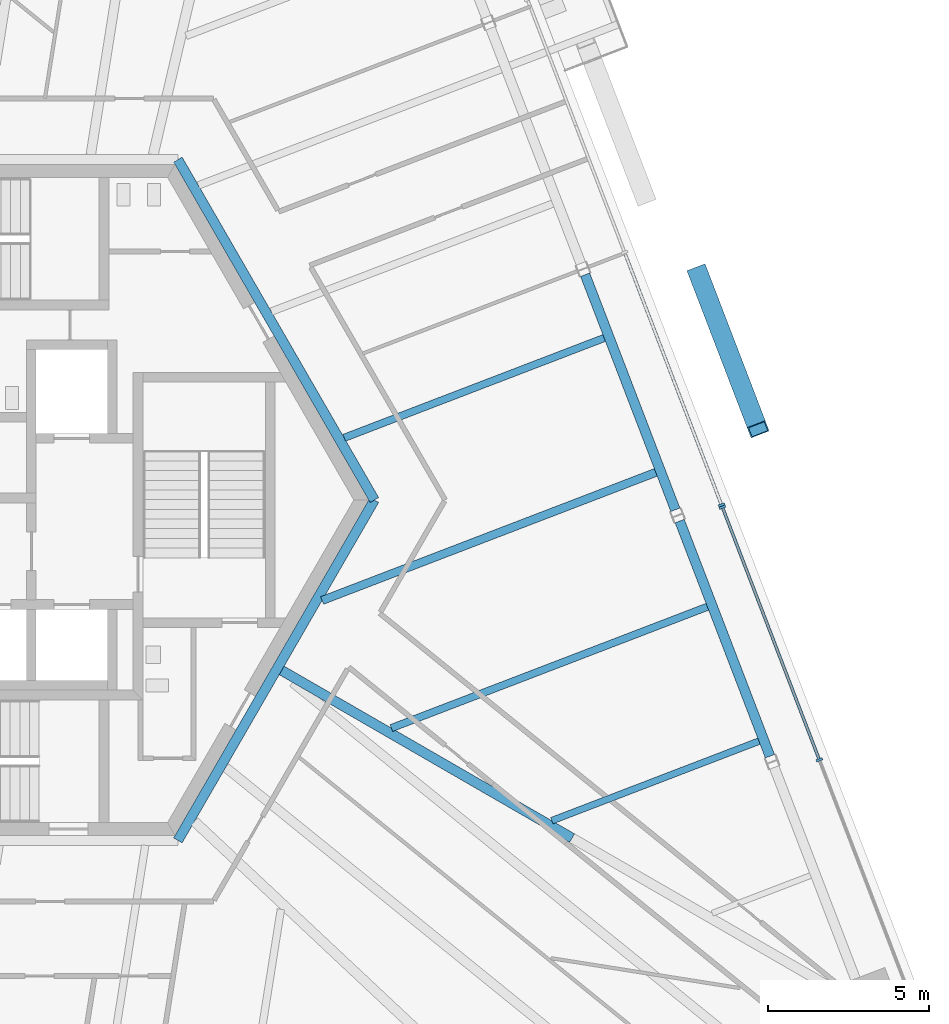
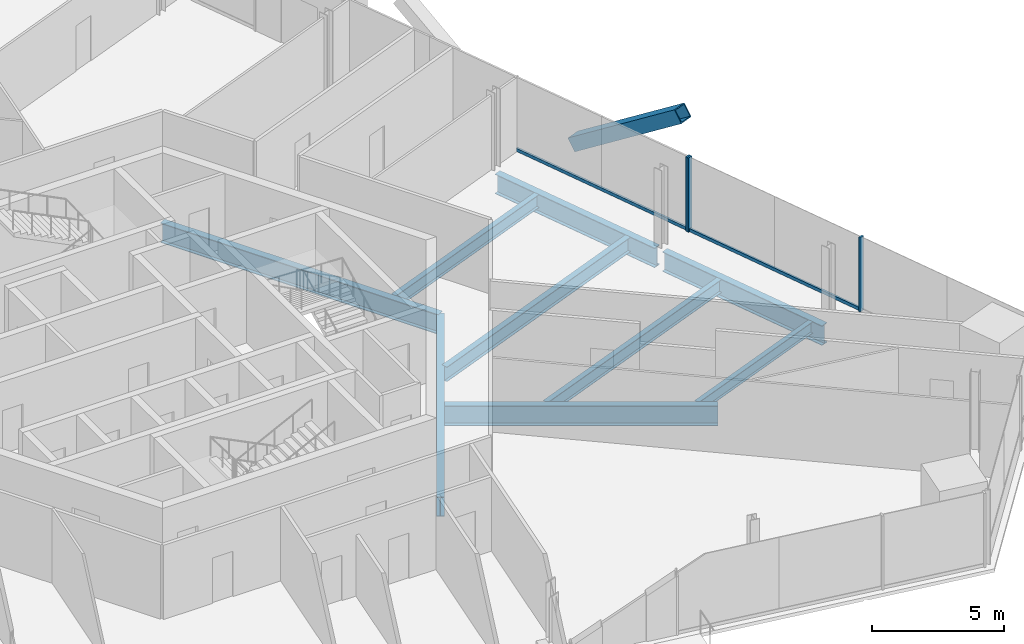
# One storey, part 6 of 18: 9 beams, 6 members, 2 elements without a shape of their own.
"""IFC4 building model written with IfcOpenShell, lengths in metres."""

from ifc_helpers import new_model, si_unit, direction, frame, origin, origin_2d, place, context, subcontext, project, spatial, rectangle, hollow_rectangle, i_section, extrude, source, transform, mapped, material, material_profile, profile_set, type_object, element, aggregate, save


model = new_model("IFC4")

# Units and contexts
model_context = context("Model", 3, precision=1e-05, world=origin(), true_north=direction((0.0, 1.0)))
body_context = subcontext(model_context, "Body", "Model", "MODEL_VIEW")
ifc_project = project(units=[si_unit("LENGTHUNIT", "METRE"), si_unit("AREAUNIT", "SQUARE_METRE"), si_unit("VOLUMEUNIT", "CUBIC_METRE"), si_unit("PLANEANGLEUNIT", "RADIAN"), si_unit("MASSUNIT", "GRAM", prefix="KILO")], contexts=[model_context])

# Site, building, storey
site_placement = place(None, origin())
site = spatial("IfcSite", under=ifc_project, at=site_placement, CompositionType="ELEMENT")
building_placement = place(site_placement, origin())
building = spatial("IfcBuilding", under=site, at=building_placement, Name="Triune Harvest Tower", CompositionType="ELEMENT")
storey_placement = place(building_placement, frame((0.0, 0.0, 156.89990234375)))
storey = spatial("IfcBuildingStorey", under=building, at=storey_placement, Name="L40", CompositionType="ELEMENT", Elevation=156.89990234375)

# Beams
ifc_material_1 = material(Name="Steel ASTM A992 Gr 50", Category="steel")
ifc_material_profile_1 = material_profile(ifc_material_1, i_section(OverallWidth=0.3046875, OverallDepth=0.914306640625, WebThickness=0.0166015625, FlangeThickness=0.02587890625, at=origin_2d()), Name="W36x160")
ifc_profile_set_1 = profile_set([ifc_material_profile_1], Name="Steel ASTM A992 Gr 50")
beam_type_1 = type_object("IfcBeamType", Name="CG-1 Core ring girder W36x160", PredefinedType="BEAM", material=ifc_profile_set_1)
shared_shape_1 = source(origin(), body_context, "Body", "SweptSolid", [
    extrude(i_section(OverallWidth=0.3046875, OverallDepth=0.914306640625, WebThickness=0.0166015625, FlangeThickness=0.02587890625, at=origin_2d()), origin(), (0.0, 0.0, 1.0), 12.176025390625),
])
for number, where, z_axis, x_axis, name in (
    (1, (12.176025390625, 0.0, -0.6171875), (-0.5000099932, 0.866019634131, 0.0), (-0.866019634131, -0.5000099932, 0.0), "beam/L40/CG1"),
    (2, (6.087890625, -10.544677734375, -0.6171875), (0.5000099932, 0.866019634131, 0.0), (-0.866019634131, 0.5000099932, 0.0), "beam/L40/CG6"),
):
    element("IfcBeam", number, at=place(storey_placement, frame(where, z_axis=z_axis, x_axis=x_axis)), inside=storey, type_object=beam_type_1, Name=name, PredefinedType="BEAM", context=body_context, shape_type="MappedRepresentation", body=[
        mapped(shared_shape_1, transform((0.0, 0.0, 0.0), scale=1.0)),
    ])
ifc_material_2 = material(Name="Steel ASTM A992 Gr 50", Category="steel")
ifc_material_profile_2 = material_profile(ifc_material_2, i_section(OverallWidth=0.307373046875, OverallDepth=0.922119140625, WebThickness=0.018310546875, FlangeThickness=0.030029296875, at=origin_2d()), Name="W36x182")
ifc_profile_set_2 = profile_set([ifc_material_profile_2], Name="Steel ASTM A992 Gr 50")
beam_type_2 = type_object("IfcBeamType", Name="HG-2 Hip girder W36x182", PredefinedType="BEAM", material=ifc_profile_set_2)
shared_shape_2 = source(origin(), body_context, "Body", "SweptSolid", [
    extrude(i_section(OverallWidth=0.307373046875, OverallDepth=0.922119140625, WebThickness=0.018310546875, FlangeThickness=0.030029296875, at=origin_2d()), origin(), (0.0, 0.0, 1.0), 10.38623046875),
])
beam_1_placement = place(storey_placement, frame((18.29833984375, -10.47314453125, -0.620849609375), z_axis=(-0.866022743272, 0.500004608114, 0.0), x_axis=(-0.500004608114, -0.866022743272, 0.0)))
element("IfcBeam", 3, at=beam_1_placement, inside=storey, type_object=beam_type_2, Name="beam/L40/HG2", PredefinedType="BEAM", context=body_context, shape_type="MappedRepresentation", body=[
    mapped(shared_shape_2, transform((0.0, 0.0, 0.0), scale=1.0)),
])
ifc_material_3 = material(Name="Steel ASTM A992 Gr 50", Category="steel")
ifc_material_profile_3 = material_profile(ifc_material_3, i_section(OverallWidth=0.3046875, OverallDepth=0.914306640625, WebThickness=0.0166015625, FlangeThickness=0.02587890625, at=origin_2d()), Name="W36x160")
ifc_profile_set_3 = profile_set([ifc_material_profile_3], Name="Steel ASTM A992 Gr 50")
beam_type_3 = type_object("IfcBeamType", Name="SB-1 Spandrel beam W36x160", PredefinedType="SPANDREL", material=ifc_profile_set_3)
shared_shape_3 = source(origin(), body_context, "Body", "SweptSolid", [
    extrude(i_section(OverallWidth=0.3046875, OverallDepth=0.914306640625, WebThickness=0.0166015625, FlangeThickness=0.02587890625, at=origin_2d()), origin(), (0.0, 0.0, 1.0), 7.8017578125),
])
for number, where, z_axis, x_axis, name in (
    (4, (24.428466796875, -7.93603515625, -0.6171875), (-0.358372974677, 0.933578497514, 0.0), (-0.933578497514, -0.358372974677, 0.0), "beam/L40/SB2"),
    (5, (21.498779296875, -0.303955078125, -0.6171875), (-0.358372974677, 0.933578497514, 0.0), (-0.933578497514, -0.358372974677, 0.0), "beam/L40/SB3"),
):
    element("IfcBeam", number, at=place(storey_placement, frame(where, z_axis=z_axis, x_axis=x_axis)), inside=storey, type_object=beam_type_3, Name=name, PredefinedType="SPANDREL", context=body_context, shape_type="MappedRepresentation", body=[
        mapped(shared_shape_3, transform((0.0, 0.0, 0.0), scale=1.0)),
    ])
ifc_material_4 = material(Name="Steel ASTM A992 Gr 50", Category="steel")
ifc_material_profile_4 = material_profile(ifc_material_4, i_section(OverallWidth=0.2099609375, OverallDepth=0.535888671875, WebThickness=0.010986328125, FlangeThickness=0.017333984375, at=origin_2d()), Name="W21x68")
ifc_profile_set_4 = profile_set([ifc_material_profile_4], Name="Steel ASTM A992 Gr 50")
beam_type_4 = type_object("IfcBeamType", Name="JT-2 Floor joist W21x68", PredefinedType="JOIST", material=ifc_profile_set_4)
shared_shape_4 = source(origin(), body_context, "Body", "SweptSolid", [
    extrude(i_section(OverallWidth=0.2099609375, OverallDepth=0.535888671875, WebThickness=0.010986328125, FlangeThickness=0.017333984375, at=origin_2d()), origin(), (0.0, 0.0, 1.0), 6.871826171875),
])
beam_2_placement = place(storey_placement, frame((24.086669921875, -7.47119140625, -0.427978515625), z_axis=(-0.933577992689, -0.358374289769, 0.0), x_axis=(0.358374289769, -0.933577992689, 0.0)))
element("IfcBeam", 6, at=beam_2_placement, inside=storey, type_object=beam_type_4, Name="beam/L40/JT2", PredefinedType="JOIST", context=body_context, shape_type="MappedRepresentation", body=[
    mapped(shared_shape_4, transform((0.0, 0.0, 0.0), scale=1.0)),
])
ifc_material_5 = material(Name="Steel ASTM A992 Gr 50", Category="steel")
ifc_material_profile_5 = material_profile(ifc_material_5, i_section(OverallWidth=0.22900390625, OverallDepth=0.612060546875, WebThickness=0.011962890625, FlangeThickness=0.01953125, at=origin_2d()), Name="W24x84")
ifc_profile_set_5 = profile_set([ifc_material_profile_5], Name="Steel ASTM A992 Gr 50")
beam_type_5 = type_object("IfcBeamType", Name="JT-3 Floor joist W24x84", PredefinedType="JOIST", material=ifc_profile_set_5)
shared_shape_5 = source(origin(), body_context, "Body", "SweptSolid", [
    extrude(i_section(OverallWidth=0.22900390625, OverallDepth=0.612060546875, WebThickness=0.011962890625, FlangeThickness=0.01953125, at=origin_2d()), origin(), (0.0, 0.0, 1.0), 10.482666015625),
])
beam_3_placement = place(storey_placement, frame((22.48876953125, -3.30810546875, -0.466064453125), z_axis=(-0.933574113636, -0.358384394677, 0.0), x_axis=(0.358384394677, -0.933574113636, 0.0)))
element("IfcBeam", 7, at=beam_3_placement, inside=storey, type_object=beam_type_5, Name="beam/L40/JT3", PredefinedType="JOIST", context=body_context, shape_type="MappedRepresentation", body=[
    mapped(shared_shape_5, transform((0.0, 0.0, 0.0), scale=1.0)),
])
ifc_material_6 = material(Name="Steel ASTM A992 Gr 50", Category="steel")
ifc_material_profile_6 = material_profile(ifc_material_6, i_section(OverallWidth=0.253662109375, OverallDepth=0.683349609375, WebThickness=0.012451171875, FlangeThickness=0.01904296875, at=origin_2d()), Name="W27x94")
ifc_profile_set_6 = profile_set([ifc_material_profile_6], Name="Steel ASTM A992 Gr 50")
beam_type_6 = type_object("IfcBeamType", Name="JT-4 Floor joist W27x94", PredefinedType="JOIST", material=ifc_profile_set_6)
shared_shape_6 = source(origin(), body_context, "Body", "SweptSolid", [
    extrude(i_section(OverallWidth=0.253662109375, OverallDepth=0.683349609375, WebThickness=0.012451171875, FlangeThickness=0.01904296875, at=origin_2d()), origin(), (0.0, 0.0, 1.0), 11.071533203125),
])
beam_4_placement = place(storey_placement, frame((20.890869140625, 0.854736328125, -0.50146484375), z_axis=(-0.933585234032, -0.358355425237, 0.0), x_axis=(0.358355425237, -0.933585234032, 0.0)))
element("IfcBeam", 8, at=beam_4_placement, inside=storey, type_object=beam_type_6, Name="beam/L40/JT4", PredefinedType="JOIST", context=body_context, shape_type="MappedRepresentation", body=[
    mapped(shared_shape_6, transform((0.0, 0.0, 0.0), scale=1.0)),
])
shared_shape_7 = source(origin(), body_context, "Body", "SweptSolid", [
    extrude(i_section(OverallWidth=0.22900390625, OverallDepth=0.612060546875, WebThickness=0.011962890625, FlangeThickness=0.01953125, at=origin_2d()), origin(), (0.0, 0.0, 1.0), 8.625732421875),
])
beam_5_placement = place(storey_placement, frame((19.292724609375, 5.017578125, -0.466064453125), z_axis=(-0.933587577512, -0.35834931996, 0.0), x_axis=(0.35834931996, -0.933587577512, 0.0)))
element("IfcBeam", 9, at=beam_5_placement, inside=storey, type_object=beam_type_5, Name="beam/L40/JT5", PredefinedType="JOIST", context=body_context, shape_type="MappedRepresentation", body=[
    mapped(shared_shape_7, transform((0.0, 0.0, 0.0), scale=1.0)),
])

# Member
ifc_material_7 = material(Name="Steel ASTM A572 Gr 50", Category="steel")
ifc_material_profile_7 = material_profile(ifc_material_7, hollow_rectangle(XDim=0.60009765625, YDim=0.60009765625, WallThickness=0.0400390625, at=origin_2d()), Name="Box 600x600x40")
ifc_profile_set_7 = profile_set([ifc_material_profile_7], Name="Steel ASTM A572 Gr 50")
member_type_1 = type_object("IfcMemberType", Name="BR-2 Brace Box 600x600x40", PredefinedType="BRACE", material=ifc_profile_set_7)
shared_shape_8 = source(origin(), body_context, "Body", "SweptSolid", [
    extrude(hollow_rectangle(XDim=0.60009765625, YDim=0.60009765625, WallThickness=0.0400390625, at=origin_2d()), origin(), (0.0, 0.0, 1.0), 6.3291015625),
])
member_1_placement = place(storey_placement, frame((22.1982421875, 7.05078125, 0.0), z_axis=(0.294740818173, -0.767845926784, 0.568806190915), x_axis=(0.933583525139, 0.358359877202, 0.0)))
element("IfcMember", 10, at=member_1_placement, inside=storey, type_object=member_type_1, Name="brace/B4-F1/d2/6", PredefinedType="BRACE", context=body_context, shape_type="MappedRepresentation", body=[
    mapped(shared_shape_8, transform((0.0, 0.0, 0.0), scale=1.0)),
])

# Curtain wall, members
ifc_material_8 = material(Name="Aluminium bronze anodised", Category="aluminium")
curtain_wall_type_1 = type_object("IfcCurtainWallType", Name="CW-6 Balcony window wall", PredefinedType="NOTDEFINED", material=ifc_material_8)
curtain_wall_1_placement = place(storey_placement, origin())
curtain_wall_1 = element("IfcCurtainWall", 11, at=curtain_wall_1_placement, inside=storey, type_object=curtain_wall_type_1, Name="CW-6 B4-F1 L40 run 1")
ifc_material_9 = material(Name="Aluminium bronze anodised", Category="aluminium")
ifc_material_profile_8 = material_profile(ifc_material_9, rectangle(XDim=0.199951171875, YDim=0.074951171875, at=origin_2d()), Name="MU-6 mullion 75 x 200")
ifc_profile_set_8 = profile_set([ifc_material_profile_8], Name="Aluminium bronze anodised")
member_type_2 = type_object("IfcMemberType", Name="MU-6 mullion 75 x 200", PredefinedType="MULLION", material=ifc_profile_set_8)
shared_shape_9 = source(origin(), body_context, "Body", "SweptSolid", [
    extrude(rectangle(XDim=0.199951171875, YDim=0.074951171875, at=origin_2d()), origin(), (0.0, 0.0, 1.0), 3.440185546875),
])
member_2_placement = place(storey_placement, frame((25.959228515625, -8.048583984375, 0.0), z_axis=(0.0, 0.0, 1.0), x_axis=(-0.933580617165, -0.358367452837, 0.0)))
member_2 = element("IfcMember", 12, at=member_2_placement, type_object=member_type_2, Name="CW-6 mullion B4-F1 1.3", PredefinedType="MULLION", context=body_context, shape_type="MappedRepresentation", body=[
    mapped(shared_shape_9, transform((0.0, 0.0, 0.0), scale=1.0)),
])
member_3_placement = place(storey_placement, frame((22.955322265625, -0.22314453125, 0.0), z_axis=(0.0, 0.0, 1.0), x_axis=(-0.933580617165, -0.358367452837, 0.0)))
member_3 = element("IfcMember", 13, at=member_3_placement, type_object=member_type_2, Name="CW-6 mullion B4-F1 1.5", PredefinedType="MULLION", context=body_context, shape_type="MappedRepresentation", body=[
    mapped(shared_shape_9, transform((0.0, 0.0, 0.0), scale=1.0)),
])

# Curtain wall, member
ifc_material_10 = material(Name="Aluminium bronze anodised", Category="aluminium")
curtain_wall_type_2 = type_object("IfcCurtainWallType", Name="CW-10 Balcony window wall with insulated spandrel infill", PredefinedType="NOTDEFINED", material=ifc_material_10)
curtain_wall_2_placement = place(storey_placement, origin())
curtain_wall_2 = element("IfcCurtainWall", 14, at=curtain_wall_2_placement, inside=storey, type_object=curtain_wall_type_2, Name="CW-10 B4-F1 L40 run 1001")
member_4_placement = place(storey_placement, frame((22.928466796875, -0.153076171875, 0.0), z_axis=(0.0, 0.0, 1.0), x_axis=(-0.933579220317, -0.358371091737, 0.0)))
member_4 = element("IfcMember", 15, at=member_4_placement, type_object=member_type_2, Name="CW-10 mullion B4-F1 1001.1", PredefinedType="MULLION", context=body_context, shape_type="MappedRepresentation", body=[
    mapped(shared_shape_9, transform((0.0, 0.0, 0.0), scale=1.0)),
])

# Member
ifc_material_11 = material(Name="Aluminium bronze anodised", Category="aluminium")
ifc_material_profile_9 = material_profile(ifc_material_11, rectangle(XDim=0.090087890625, YDim=0.14990234375, at=origin_2d()), Name="TR-6 transom 90 x 150")
ifc_profile_set_9 = profile_set([ifc_material_profile_9], Name="Aluminium bronze anodised")
member_type_3 = type_object("IfcMemberType", Name="TR-6 transom 90 x 150", PredefinedType="USERDEFINED", material=ifc_profile_set_9)
shared_shape_10 = source(origin(), body_context, "Body", "SweptSolid", [
    extrude(rectangle(XDim=0.090087890625, YDim=0.14990234375, at=origin_2d()), origin(), (0.0, 0.0, 1.0), 8.307373046875),
])
member_5_placement = place(storey_placement, frame((25.94580078125, -8.013671875, 0.0751953125), z_axis=(-0.35836260128, 0.933582479486, 0.0), x_axis=(-0.933582479486, -0.35836260128, 0.0)))
member_5 = element("IfcMember", 16, at=member_5_placement, type_object=member_type_3, Name="CW-6 transom B4-F1 1.2", ObjectType="TRANSOM", PredefinedType="USERDEFINED", context=body_context, shape_type="MappedRepresentation", body=[
    mapped(shared_shape_10, transform((0.0, 0.0, 0.0), scale=1.0)),
])

aggregate(curtain_wall_1, [member_2, member_3, member_5])

member_6_placement = place(storey_placement, frame((22.9150390625, -0.1181640625, 0.0751953125), z_axis=(-0.35836260128, 0.933582479486, 0.0), x_axis=(-0.933582479486, -0.35836260128, 0.0)))
member_6 = element("IfcMember", 17, at=member_6_placement, type_object=member_type_3, Name="CW-10 transom B4-F1 1001.1", ObjectType="TRANSOM", PredefinedType="USERDEFINED", context=body_context, shape_type="MappedRepresentation", body=[
    mapped(shared_shape_10, transform((0.0, 0.0, 0.0), scale=1.0)),
])

aggregate(curtain_wall_2, [member_4, member_6])

save(model, "model.ifc")
